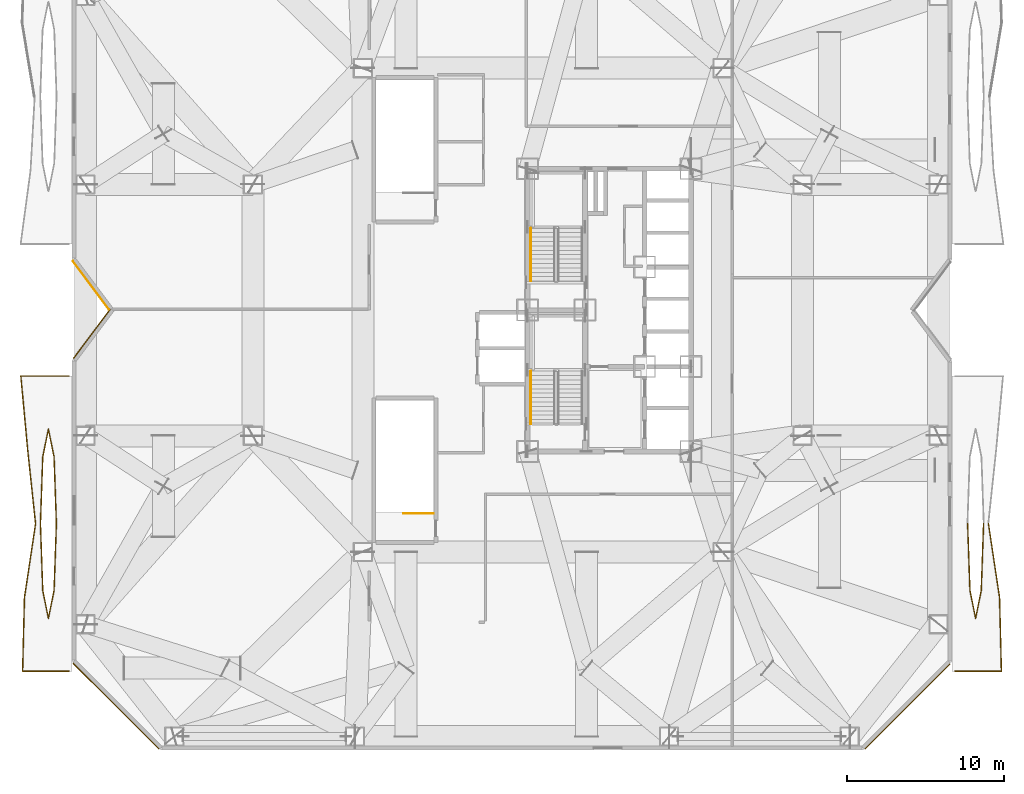
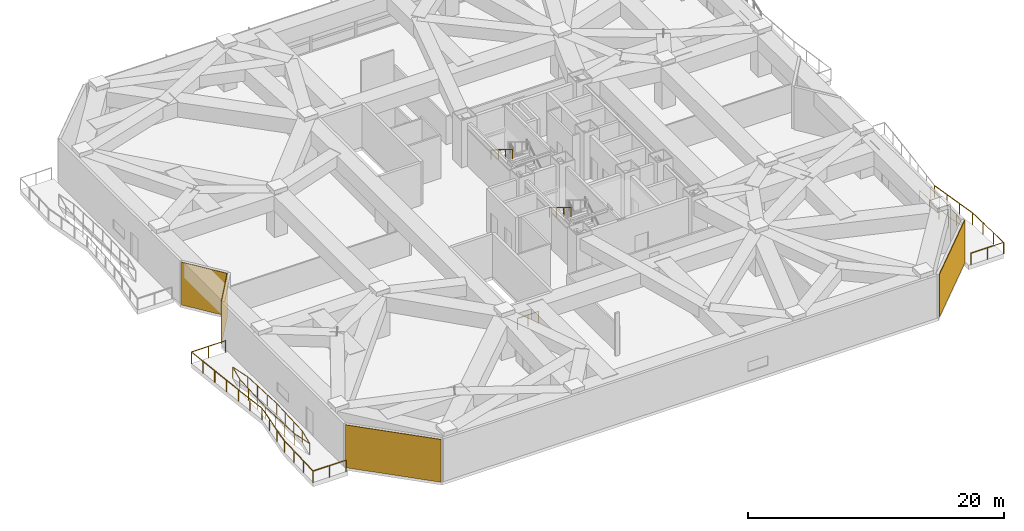
# One storey, part 23 of 27: 9 railings, 4 coverings.
"""IFC4 building model written with IfcOpenShell, lengths in metres."""

from ifc_helpers import new_model, si_unit, direction, frame, origin, origin_2d, place, context, subcontext, project, spatial, rectangle, circle, extrude, material, layer, layer_set, type_object, element, save


model = new_model("IFC4")

# Units and contexts
model_context = context("Model", 3, precision=1e-05, world=origin(), true_north=direction((0.0, 1.0)))
body_context = subcontext(model_context, "Body", "Model", "MODEL_VIEW")
ifc_project = project(units=[si_unit("LENGTHUNIT", "METRE"), si_unit("AREAUNIT", "SQUARE_METRE"), si_unit("VOLUMEUNIT", "CUBIC_METRE"), si_unit("PLANEANGLEUNIT", "RADIAN"), si_unit("MASSUNIT", "GRAM", prefix="KILO")], contexts=[model_context])

# Site, building, storey
site_placement = place(None, origin())
site = spatial("IfcSite", under=ifc_project, at=site_placement, CompositionType="ELEMENT")
building_placement = place(site_placement, origin())
building = spatial("IfcBuilding", under=site, at=building_placement, Name="Khamvora Tower", CompositionType="ELEMENT")
storey_placement = place(building_placement, frame((0.0, 0.0, 28.800048828125)))
storey = spatial("IfcBuildingStorey", under=building, at=storey_placement, Name="L06", CompositionType="ELEMENT", Elevation=28.800048828125)

# Coverings
ifc_material_1 = material(Name="Pale Anodised Aluminium Rainscreen Panel", Category="aluminium")
ifc_layer_1 = layer(ifc_material_1, 0.044921875)
ifc_layer_set_1 = layer_set([ifc_layer_1], Name="Pale Anodised Aluminium Rainscreen Panel")
covering_type_1 = type_object("IfcCoveringType", Name="COV-CLD-ALU", PredefinedType="CLADDING", material=ifc_layer_set_1)
covering_1_placement = place(storey_placement, frame((1.193115234375, 29.5791015625, 0.0), z_axis=(0.0, 0.0, 1.0), x_axis=(-0.600000000002, 0.799999999998, 0.0)))
element("IfcCovering", 1, at=covering_1_placement, inside=storey, type_object=covering_type_1, Name="L06 chamfer rainscreen cladding 04.1", PredefinedType="CLADDING", context=body_context, shape_type="SweptSolid", body=[
    extrude(rectangle(XDim=3.844970703125, YDim=0.044921875, at=origin_2d()), origin(), (0.0, 0.0, 1.0), 4.080078125),
])
ifc_material_2 = material(Name="Anodised Bronze Aluminium Spandrel Panel", Category="aluminium")
ifc_layer_2 = layer(ifc_material_2, 0.054931640625)
ifc_layer_set_2 = layer_set([ifc_layer_2], Name="Anodised Bronze Aluminium Spandrel Panel")
covering_type_2 = type_object("IfcCoveringType", Name="COV-CLD-BRZ", PredefinedType="CLADDING", material=ifc_layer_set_2)
covering_2_placement = place(storey_placement, frame((2.787109375, 2.787109375, 0.0), z_axis=(0.0, 0.0, 1.0), x_axis=(-0.707106781187, 0.707106781187, 0.0)))
element("IfcCovering", 2, at=covering_2_placement, inside=storey, type_object=covering_type_2, Name="L06 chamfer rainscreen cladding 01.1", PredefinedType="CLADDING", context=body_context, shape_type="SweptSolid", body=[
    extrude(rectangle(XDim=7.720947265625, YDim=0.054931640625, at=origin_2d()), origin(), (0.0, 0.0, 1.0), 4.080078125),
])
covering_3_placement = place(storey_placement, frame((1.243896484375, 26.488037109375, 0.0), z_axis=(0.0, 0.0, 1.0), x_axis=(0.600040135704, 0.799969896649, 0.0)))
element("IfcCovering", 3, at=covering_3_placement, inside=storey, type_object=covering_type_2, Name="L06 chamfer rainscreen cladding 03.1", PredefinedType="CLADDING", context=body_context, shape_type="SweptSolid", body=[
    extrude(rectangle(XDim=3.885986328125, YDim=0.054931640625, at=origin_2d()), origin(), (0.0, 0.0, 1.0), 4.080078125),
])
covering_4_placement = place(storey_placement, frame((53.18603515625, 2.760009765625, 0.0), z_axis=(0.0, 0.0, 1.0), x_axis=(-0.707106781187, -0.707106781187, 0.0)))
element("IfcCovering", 4, at=covering_4_placement, inside=storey, type_object=covering_type_2, Name="L06 chamfer rainscreen cladding 13.1", PredefinedType="CLADDING", context=body_context, shape_type="SweptSolid", body=[
    extrude(rectangle(XDim=7.64404296875, YDim=0.054931640625, at=origin_2d()), origin(), (0.0, 0.0, 1.0), 4.080078125),
])

# Railings
ifc_material_3 = material(Name="Stainless Steel 316 and Laminated Glass", Category="steel")
railing_type_1 = type_object("IfcRailingType", Name="RAL-GAL-1120", PredefinedType="GUARDRAIL", material=ifc_material_3)
railing_1_placement = place(storey_placement, frame((56.199951171875, 5.0, 0.0)))
element("IfcRailing", 5, at=railing_1_placement, inside=storey, type_object=railing_type_1, Name="L06 lens gallery south perimeter guardrail EL1", PredefinedType="GUARDRAIL", context=body_context, shape_type="SweptSolid", body=[
    extrude(circle(Radius=0.02392578125, at=origin_2d()), frame((0.0, 0.0, 1.09619140625), z_axis=(1.0, 0.0, 0.0), x_axis=(0.0, 1.0, 0.0)), (0.0, 0.0, 1.0), 2.962158203125),
    extrude(circle(Radius=0.02392578125, at=origin_2d()), frame((2.962158203125, 0.0, 1.09619140625), z_axis=(-0.025133608896, 0.999684100956, 0.0), x_axis=(-0.999684100956, -0.025133608896, 0.0)), (0.0, 0.0, 1.0), 4.701416015625),
    extrude(circle(Radius=0.02392578125, at=origin_2d()), frame((2.843994140625, 4.699951171875, 1.09619140625), z_axis=(-0.148759918885, 0.988873342008, 0.0), x_axis=(-0.988873342008, -0.148759918885, 0.0)), (0.0, 0.0, 1.0), 4.7529296875),
    extrude(circle(Radius=0.02099609375, at=origin_2d()), origin(), (0.0, 0.0, 1.0), 1.072021484375),
    extrude(circle(Radius=0.02099609375, at=origin_2d()), frame((1.48095703125, 0.0, 0.0)), (0.0, 0.0, 1.0), 1.072021484375),
    extrude(circle(Radius=0.02099609375, at=origin_2d()), frame((2.962158203125, 0.0, 0.0)), (0.0, 0.0, 1.0), 1.072021484375),
    extrude(circle(Radius=0.02099609375, at=origin_2d()), frame((2.9228515625, 1.566650390625, 0.0)), (0.0, 0.0, 1.0), 1.072021484375),
    extrude(circle(Radius=0.02099609375, at=origin_2d()), frame((2.88330078125, 3.13330078125, 0.0)), (0.0, 0.0, 1.0), 1.072021484375),
    extrude(circle(Radius=0.02099609375, at=origin_2d()), frame((2.843994140625, 4.699951171875, 0.0)), (0.0, 0.0, 1.0), 1.072021484375),
    extrude(circle(Radius=0.02099609375, at=origin_2d()), frame((2.6083984375, 6.2666015625, 0.0)), (0.0, 0.0, 1.0), 1.072021484375),
    extrude(circle(Radius=0.02099609375, at=origin_2d()), frame((2.37255859375, 7.833251953125, 0.0)), (0.0, 0.0, 1.0), 1.072021484375),
    extrude(circle(Radius=0.02099609375, at=origin_2d()), frame((2.136962890625, 9.39990234375, 0.0)), (0.0, 0.0, 1.0), 1.072021484375),
])
railing_2_placement = place(storey_placement, frame((57.010986328125, 14.39990234375, 0.0)))
element("IfcRailing", 6, at=railing_2_placement, inside=storey, type_object=railing_type_1, Name="L06 lens gallery void guardrail EL1B", PredefinedType="GUARDRAIL", context=body_context, shape_type="SweptSolid", body=[
    extrude(circle(Radius=0.02392578125, at=origin_2d()), frame((0.0, 0.0, 1.09619140625), z_axis=(0.034758598303, -0.999395737355, 0.0), x_axis=(0.999395737355, 0.034758598303, 0.0)), (0.0, 0.0, 1.0), 4.256591796875),
    extrude(circle(Radius=0.02392578125, at=origin_2d()), frame((0.14794921875, -4.25390625, 1.09619140625), z_axis=(0.198022438185, -0.980197487232, 0.0), x_axis=(0.980197487232, 0.198022438185, 0.0)), (0.0, 0.0, 1.0), 1.797607421875),
    extrude(circle(Radius=0.02392578125, at=origin_2d()), frame((0.50390625, -6.015869140625, 1.09619140625), z_axis=(0.198152924969, 0.98017111686, 0.0), x_axis=(-0.98017111686, 0.198152924969, 0.0)), (0.0, 0.0, 1.0), 1.797607421875),
    extrude(circle(Radius=0.02392578125, at=origin_2d()), frame((0.860107421875, -4.25390625, 1.09619140625), z_axis=(0.034758598303, 0.999395737355, 0.0), x_axis=(-0.999395737355, 0.034758598303, 0.0)), (0.0, 0.0, 1.0), 4.256591796875),
    extrude(circle(Radius=0.02099609375, at=origin_2d()), origin(), (0.0, 0.0, 1.0), 1.072021484375),
    extrude(circle(Radius=0.02099609375, at=origin_2d()), frame((0.04931640625, -1.41796875, 0.0)), (0.0, 0.0, 1.0), 1.072021484375),
    extrude(circle(Radius=0.02099609375, at=origin_2d()), frame((0.0986328125, -2.8359375, 0.0)), (0.0, 0.0, 1.0), 1.072021484375),
    extrude(circle(Radius=0.02099609375, at=origin_2d()), frame((0.14794921875, -4.25390625, 0.0)), (0.0, 0.0, 1.0), 1.072021484375),
    extrude(circle(Radius=0.02099609375, at=origin_2d()), frame((0.50390625, -6.015869140625, 0.0)), (0.0, 0.0, 1.0), 1.072021484375),
    extrude(circle(Radius=0.02099609375, at=origin_2d()), frame((0.860107421875, -4.25390625, 0.0)), (0.0, 0.0, 1.0), 1.072021484375),
    extrude(circle(Radius=0.02099609375, at=origin_2d()), frame((0.909423828125, -2.8359375, 0.0)), (0.0, 0.0, 1.0), 1.072021484375),
    extrude(circle(Radius=0.02099609375, at=origin_2d()), frame((0.958740234375, -1.41796875, 0.0)), (0.0, 0.0, 1.0), 1.072021484375),
    extrude(circle(Radius=0.02099609375, at=origin_2d()), frame((1.008056640625, 0.0, 0.0)), (0.0, 0.0, 1.0), 1.072021484375),
])
railing_3_placement = place(storey_placement, frame((-0.199951171875, 5.0, 0.0)))
element("IfcRailing", 7, at=railing_3_placement, inside=storey, type_object=railing_type_1, Name="L06 lens gallery south perimeter guardrail WL1", PredefinedType="GUARDRAIL", context=body_context, shape_type="SweptSolid", body=[
    extrude(circle(Radius=0.02392578125, at=origin_2d()), frame((0.0, 0.0, 1.09619140625), z_axis=(-1.0, 0.0, 0.0), x_axis=(0.0, -1.0, 0.0)), (0.0, 0.0, 1.0), 2.962158203125),
    extrude(circle(Radius=0.02392578125, at=origin_2d()), frame((-2.962158203125, 0.0, 1.09619140625), z_axis=(0.025133608896, 0.999684100956, 0.0), x_axis=(-0.999684100956, 0.025133608896, 0.0)), (0.0, 0.0, 1.0), 4.701416015625),
    extrude(circle(Radius=0.02392578125, at=origin_2d()), frame((-2.843994140625, 4.699951171875, 1.09619140625), z_axis=(0.148759918885, 0.988873342008, 0.0), x_axis=(-0.988873342008, 0.148759918885, 0.0)), (0.0, 0.0, 1.0), 4.7529296875),
    extrude(circle(Radius=0.02099609375, at=origin_2d()), origin(), (0.0, 0.0, 1.0), 1.072021484375),
    extrude(circle(Radius=0.02099609375, at=origin_2d()), frame((-1.48095703125, 0.0, 0.0)), (0.0, 0.0, 1.0), 1.072021484375),
    extrude(circle(Radius=0.02099609375, at=origin_2d()), frame((-2.962158203125, 0.0, 0.0)), (0.0, 0.0, 1.0), 1.072021484375),
    extrude(circle(Radius=0.02099609375, at=origin_2d()), frame((-2.9228515625, 1.566650390625, 0.0)), (0.0, 0.0, 1.0), 1.072021484375),
    extrude(circle(Radius=0.02099609375, at=origin_2d()), frame((-2.88330078125, 3.13330078125, 0.0)), (0.0, 0.0, 1.0), 1.072021484375),
    extrude(circle(Radius=0.02099609375, at=origin_2d()), frame((-2.843994140625, 4.699951171875, 0.0)), (0.0, 0.0, 1.0), 1.072021484375),
    extrude(circle(Radius=0.02099609375, at=origin_2d()), frame((-2.6083984375, 6.2666015625, 0.0)), (0.0, 0.0, 1.0), 1.072021484375),
    extrude(circle(Radius=0.02099609375, at=origin_2d()), frame((-2.37255859375, 7.833251953125, 0.0)), (0.0, 0.0, 1.0), 1.072021484375),
    extrude(circle(Radius=0.02099609375, at=origin_2d()), frame((-2.136962890625, 9.39990234375, 0.0)), (0.0, 0.0, 1.0), 1.072021484375),
])
railing_4_placement = place(storey_placement, frame((-2.3369140625, 14.39990234375, 0.0)))
element("IfcRailing", 8, at=railing_4_placement, inside=storey, type_object=railing_type_1, Name="L06 lens gallery north perimeter guardrail WL1", PredefinedType="GUARDRAIL", context=body_context, shape_type="SweptSolid", body=[
    extrude(circle(Radius=0.02392578125, at=origin_2d()), frame((0.0, 0.0, 1.09619140625), z_axis=(-0.106241333318, 0.994340373863, 0.0), x_axis=(-0.994340373863, -0.106241333318, 0.0)), (0.0, 0.0, 1.0), 4.72705078125),
    extrude(circle(Radius=0.02392578125, at=origin_2d()), frame((-0.502197265625, 4.7001953125, 1.09619140625), z_axis=(-0.092121283105, 0.995747793971, 0.0), x_axis=(-0.995747793971, -0.092121283105, 0.0)), (0.0, 0.0, 1.0), 4.719970703125),
    extrude(circle(Radius=0.02392578125, at=origin_2d()), frame((-0.93701171875, 9.400146484375, 1.09619140625), z_axis=(1.0, 0.0, 0.0), x_axis=(0.0, 1.0, 0.0)), (0.0, 0.0, 1.0), 3.073974609375),
    extrude(circle(Radius=0.02099609375, at=origin_2d()), origin(), (0.0, 0.0, 1.0), 1.072021484375),
    extrude(circle(Radius=0.02099609375, at=origin_2d()), frame((-0.16748046875, 1.566650390625, 0.0)), (0.0, 0.0, 1.0), 1.072021484375),
    extrude(circle(Radius=0.02099609375, at=origin_2d()), frame((-0.334716796875, 3.133544921875, 0.0)), (0.0, 0.0, 1.0), 1.072021484375),
    extrude(circle(Radius=0.02099609375, at=origin_2d()), frame((-0.502197265625, 4.7001953125, 0.0)), (0.0, 0.0, 1.0), 1.072021484375),
    extrude(circle(Radius=0.02099609375, at=origin_2d()), frame((-0.647216796875, 6.266845703125, 0.0)), (0.0, 0.0, 1.0), 1.072021484375),
    extrude(circle(Radius=0.02099609375, at=origin_2d()), frame((-0.7919921875, 7.83349609375, 0.0)), (0.0, 0.0, 1.0), 1.072021484375),
    extrude(circle(Radius=0.02099609375, at=origin_2d()), frame((-0.93701171875, 9.400146484375, 0.0)), (0.0, 0.0, 1.0), 1.072021484375),
    extrude(circle(Radius=0.02099609375, at=origin_2d()), frame((0.60009765625, 9.400146484375, 0.0)), (0.0, 0.0, 1.0), 1.072021484375),
    extrude(circle(Radius=0.02099609375, at=origin_2d()), frame((2.136962890625, 9.400146484375, 0.0)), (0.0, 0.0, 1.0), 1.072021484375),
])
railing_5_placement = place(storey_placement, frame((-1.010986328125, 14.39990234375, 0.0)))
element("IfcRailing", 9, at=railing_5_placement, inside=storey, type_object=railing_type_1, Name="L06 lens gallery void guardrail WL1A", PredefinedType="GUARDRAIL", context=body_context, shape_type="SweptSolid", body=[
    extrude(circle(Radius=0.02392578125, at=origin_2d()), frame((0.0, 0.0, 1.09619140625), z_axis=(-0.034756605959, 0.999395806646, 0.0), x_axis=(-0.999395806646, -0.034756605959, 0.0)), (0.0, 0.0, 1.0), 4.2568359375),
    extrude(circle(Radius=0.02392578125, at=origin_2d()), frame((-0.14794921875, 4.254150390625, 1.09619140625), z_axis=(-0.198022438185, 0.980197487232, 0.0), x_axis=(-0.980197487232, -0.198022438185, 0.0)), (0.0, 0.0, 1.0), 1.797607421875),
    extrude(circle(Radius=0.02392578125, at=origin_2d()), frame((-0.50390625, 6.01611328125, 1.09619140625), z_axis=(-0.198152924969, -0.98017111686, 0.0), x_axis=(0.98017111686, -0.198152924969, 0.0)), (0.0, 0.0, 1.0), 1.797607421875),
    extrude(circle(Radius=0.02392578125, at=origin_2d()), frame((-0.860107421875, 4.254150390625, 1.09619140625), z_axis=(-0.034756605959, -0.999395806646, 0.0), x_axis=(0.999395806646, -0.034756605959, 0.0)), (0.0, 0.0, 1.0), 4.2568359375),
    extrude(circle(Radius=0.02099609375, at=origin_2d()), origin(), (0.0, 0.0, 1.0), 1.072021484375),
    extrude(circle(Radius=0.02099609375, at=origin_2d()), frame((-0.04931640625, 1.41796875, 0.0)), (0.0, 0.0, 1.0), 1.072021484375),
    extrude(circle(Radius=0.02099609375, at=origin_2d()), frame((-0.0986328125, 2.836181640625, 0.0)), (0.0, 0.0, 1.0), 1.072021484375),
    extrude(circle(Radius=0.02099609375, at=origin_2d()), frame((-0.14794921875, 4.254150390625, 0.0)), (0.0, 0.0, 1.0), 1.072021484375),
    extrude(circle(Radius=0.02099609375, at=origin_2d()), frame((-0.50390625, 6.01611328125, 0.0)), (0.0, 0.0, 1.0), 1.072021484375),
    extrude(circle(Radius=0.02099609375, at=origin_2d()), frame((-0.860107421875, 4.254150390625, 0.0)), (0.0, 0.0, 1.0), 1.072021484375),
    extrude(circle(Radius=0.02099609375, at=origin_2d()), frame((-0.909423828125, 2.836181640625, 0.0)), (0.0, 0.0, 1.0), 1.072021484375),
    extrude(circle(Radius=0.02099609375, at=origin_2d()), frame((-0.958740234375, 1.41796875, 0.0)), (0.0, 0.0, 1.0), 1.072021484375),
    extrude(circle(Radius=0.02099609375, at=origin_2d()), frame((-1.008056640625, 0.0, 0.0)), (0.0, 0.0, 1.0), 1.072021484375),
])
railing_6_placement = place(storey_placement, frame((-2.01904296875, 14.39990234375, 0.0)))
element("IfcRailing", 10, at=railing_6_placement, inside=storey, type_object=railing_type_1, Name="L06 lens gallery void guardrail WL1B", PredefinedType="GUARDRAIL", context=body_context, shape_type="SweptSolid", body=[
    extrude(circle(Radius=0.02392578125, at=origin_2d()), frame((0.0, 0.0, 1.09619140625), z_axis=(0.034758598303, -0.999395737355, 0.0), x_axis=(0.999395737355, 0.034758598303, 0.0)), (0.0, 0.0, 1.0), 4.256591796875),
    extrude(circle(Radius=0.02392578125, at=origin_2d()), frame((0.14794921875, -4.25390625, 1.09619140625), z_axis=(0.198152924969, -0.98017111686, 0.0), x_axis=(0.98017111686, 0.198152924969, 0.0)), (0.0, 0.0, 1.0), 1.797607421875),
    extrude(circle(Radius=0.02392578125, at=origin_2d()), frame((0.504150390625, -6.015869140625, 1.09619140625), z_axis=(0.198022438185, 0.980197487232, 0.0), x_axis=(-0.980197487232, 0.198022438185, 0.0)), (0.0, 0.0, 1.0), 1.797607421875),
    extrude(circle(Radius=0.02392578125, at=origin_2d()), frame((0.860107421875, -4.25390625, 1.09619140625), z_axis=(0.034758598303, 0.999395737355, 0.0), x_axis=(-0.999395737355, 0.034758598303, 0.0)), (0.0, 0.0, 1.0), 4.256591796875),
    extrude(circle(Radius=0.02099609375, at=origin_2d()), origin(), (0.0, 0.0, 1.0), 1.072021484375),
    extrude(circle(Radius=0.02099609375, at=origin_2d()), frame((0.04931640625, -1.41796875, 0.0)), (0.0, 0.0, 1.0), 1.072021484375),
    extrude(circle(Radius=0.02099609375, at=origin_2d()), frame((0.0986328125, -2.8359375, 0.0)), (0.0, 0.0, 1.0), 1.072021484375),
    extrude(circle(Radius=0.02099609375, at=origin_2d()), frame((0.14794921875, -4.25390625, 0.0)), (0.0, 0.0, 1.0), 1.072021484375),
    extrude(circle(Radius=0.02099609375, at=origin_2d()), frame((0.504150390625, -6.015869140625, 0.0)), (0.0, 0.0, 1.0), 1.072021484375),
    extrude(circle(Radius=0.02099609375, at=origin_2d()), frame((0.860107421875, -4.25390625, 0.0)), (0.0, 0.0, 1.0), 1.072021484375),
    extrude(circle(Radius=0.02099609375, at=origin_2d()), frame((0.909423828125, -2.8359375, 0.0)), (0.0, 0.0, 1.0), 1.072021484375),
    extrude(circle(Radius=0.02099609375, at=origin_2d()), frame((0.958740234375, -1.41796875, 0.0)), (0.0, 0.0, 1.0), 1.072021484375),
    extrude(circle(Radius=0.02099609375, at=origin_2d()), frame((1.008056640625, 0.0, 0.0)), (0.0, 0.0, 1.0), 1.072021484375),
])
ifc_material_4 = material(Name="Brushed Stainless Steel 316", Category="steel")
railing_type_2 = type_object("IfcRailingType", Name="RAL-HDR-920", PredefinedType="HANDRAIL", material=ifc_material_4)
railing_7_placement = place(storey_placement, frame((29.199951171875, 24.110107421875, 2.423095703125)))
element("IfcRailing", 11, at=railing_7_placement, inside=storey, type_object=railing_type_2, Name="L06 ST-01 stair handrail 2", PredefinedType="HANDRAIL", context=body_context, shape_type="SweptSolid", body=[
    extrude(circle(Radius=0.02392578125, at=origin_2d()), frame((0.0, 0.0, 0.8759765625), z_axis=(0.0, -0.850623216509, 0.525775754039), x_axis=(1.0, 0.0, 0.0)), (0.0, 0.0, 1.0), 3.9501953125),
    extrude(circle(Radius=0.02099609375, at=origin_2d()), origin(), (0.0, 0.0, 1.0), 0.851806640625),
    extrude(circle(Radius=0.02099609375, at=origin_2d()), frame((0.0, -1.1201171875, 0.6923828125)), (0.0, 0.0, 1.0), 0.851806640625),
    extrude(circle(Radius=0.02099609375, at=origin_2d()), frame((0.0, -2.239990234375, 1.384521484375)), (0.0, 0.0, 1.0), 0.851806640625),
    extrude(circle(Radius=0.02099609375, at=origin_2d()), frame((0.0, -3.360107421875, 2.076904296875)), (0.0, 0.0, 1.0), 0.851806640625),
])
railing_8_placement = place(storey_placement, frame((29.199951171875, 33.2099609375, 2.423095703125)))
element("IfcRailing", 12, at=railing_8_placement, inside=storey, type_object=railing_type_2, Name="L06 ST-02 stair handrail 2", PredefinedType="HANDRAIL", context=body_context, shape_type="SweptSolid", body=[
    extrude(circle(Radius=0.02392578125, at=origin_2d()), frame((0.0, 0.0, 0.8759765625), z_axis=(0.0, -0.850606129759, 0.525803396734), x_axis=(1.0, 0.0, 0.0)), (0.0, 0.0, 1.0), 3.949951171875),
    extrude(circle(Radius=0.02099609375, at=origin_2d()), origin(), (0.0, 0.0, 1.0), 0.851806640625),
    extrude(circle(Radius=0.02099609375, at=origin_2d()), frame((0.0, -1.119873046875, 0.6923828125)), (0.0, 0.0, 1.0), 0.851806640625),
    extrude(circle(Radius=0.02099609375, at=origin_2d()), frame((0.0, -2.239990234375, 1.384521484375)), (0.0, 0.0, 1.0), 0.851806640625),
    extrude(circle(Radius=0.02099609375, at=origin_2d()), frame((0.0, -3.35986328125, 2.076904296875)), (0.0, 0.0, 1.0), 0.851806640625),
])
ifc_material_5 = material(Name="Stainless Steel 316", Category="steel")
railing_type_3 = type_object("IfcRailingType", Name="RAL-STG-1100", PredefinedType="GUARDRAIL", material=ifc_material_5)
railing_9_placement = place(storey_placement, frame((23.0, 15.050048828125, 0.0)))
element("IfcRailing", 13, at=railing_9_placement, inside=storey, type_object=railing_type_3, Name="L06 ST-03 top well guard 1", PredefinedType="GUARDRAIL", context=body_context, shape_type="SweptSolid", body=[
    extrude(circle(Radius=0.02392578125, at=origin_2d()), frame((0.0, 0.0, 1.076171875), z_axis=(-1.0, 0.0, 0.0), x_axis=(0.0, -1.0, 0.0)), (0.0, 0.0, 1.0), 1.89990234375),
    extrude(circle(Radius=0.02099609375, at=origin_2d()), origin(), (0.0, 0.0, 1.0), 1.052001953125),
    extrude(circle(Radius=0.02099609375, at=origin_2d()), frame((-0.949951171875, 0.0, 0.0)), (0.0, 0.0, 1.0), 1.052001953125),
    extrude(circle(Radius=0.02099609375, at=origin_2d()), frame((-1.89990234375, 0.0, 0.0)), (0.0, 0.0, 1.0), 1.052001953125),
])

save(model, "model.ifc")
